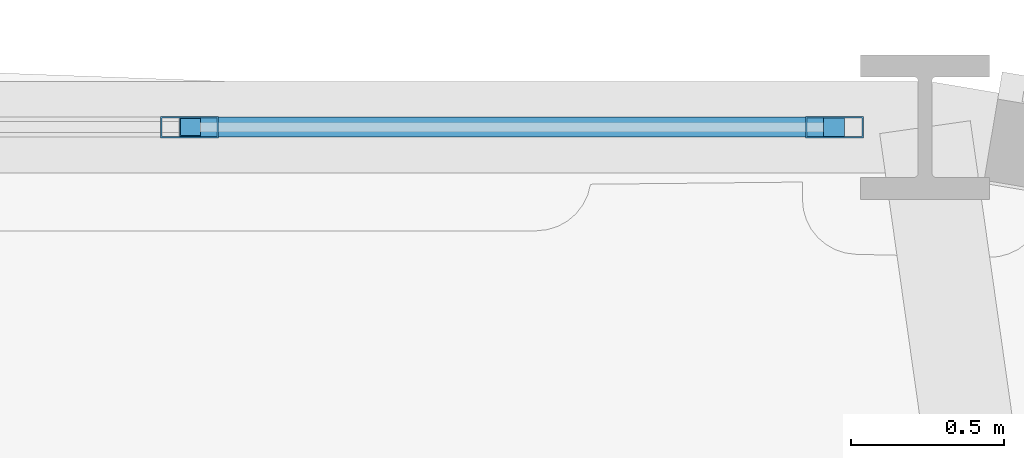
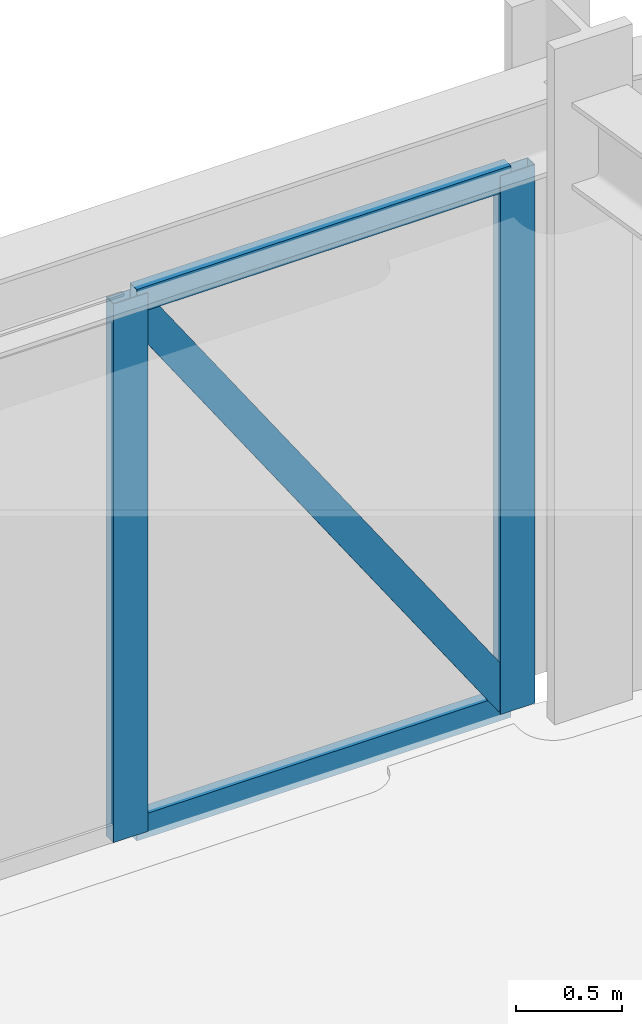
# One storey, part 14 of 22: 5 members, 1 element without a shape of its own.
"""IFC4 building model written with IfcOpenShell, lengths in metres."""

from ifc_helpers import new_model, si_unit, derived_unit, direction, frame, origin, origin_2d, place, context, subcontext, project, spatial, hollow_rectangle, extrude, source, transform, mapped, material, layer, layer_set, material_profile, profile_set, type_object, element, aggregate, save


model = new_model("IFC4")

# Units and contexts
model_context = context("Model", 3, precision=1e-05, world=origin(), true_north=direction((0.0, 1.0)))
body_context = subcontext(model_context, "Body", "Model", "MODEL_VIEW")
ifc_project = project(units=[si_unit("LENGTHUNIT", "METRE"), si_unit("AREAUNIT", "SQUARE_METRE"), si_unit("VOLUMEUNIT", "CUBIC_METRE"), si_unit("PLANEANGLEUNIT", "RADIAN"), si_unit("MASSUNIT", "GRAM", prefix="KILO"), derived_unit("THERMALTRANSMITTANCEUNIT", [(si_unit("POWERUNIT", "WATT"), 1), (si_unit("LENGTHUNIT", "METRE"), -2), (si_unit("THERMODYNAMICTEMPERATUREUNIT", "KELVIN"), -1)])], contexts=[model_context])

# Site, building, storey
site_placement = place(None, origin())
site = spatial("IfcSite", under=ifc_project, at=site_placement, CompositionType="ELEMENT")
building_placement = place(site_placement, origin())
building = spatial("IfcBuilding", under=site, at=building_placement, Name="Korsvarv Bourse and Concert Hall", CompositionType="ELEMENT")
storey_placement = place(building_placement, frame((0.0, 0.0, 55.199951171875)))
storey = spatial("IfcBuildingStorey", under=building, at=storey_placement, Name="L13", CompositionType="ELEMENT", Elevation=55.199951171875)

# Curtain wall, members
ifc_material_1 = material(Name="Anodised aluminium and triple low-E glazing", Category="glass")
ifc_layer = layer(ifc_material_1, 0.219970703125)
ifc_layer_set = layer_set([ifc_layer], Name="Anodised aluminium and triple low-E glazing")
curtain_wall_type = type_object("IfcCurtainWallType", Name="CW-SYS-1", PredefinedType="NOTDEFINED", material=ifc_layer_set)
curtain_wall_placement = place(storey_placement, origin())
curtain_wall = element("IfcCurtainWall", 1, at=curtain_wall_placement, inside=storey, type_object=curtain_wall_type, Name="L13 CW1 curtain wall CW-L13-F03", PredefinedType="NOTDEFINED")
ifc_material_2 = material(Name="Extruded aluminium EN AW-6063 T66", Category="aluminium")
ifc_material_profile_1 = material_profile(ifc_material_2, hollow_rectangle(XDim=0.06494140625, YDim=0.139892578125, WallThickness=0.00390625, at=origin_2d()), Name="ALU-T 65x140")
ifc_profile_set_1 = profile_set([ifc_material_profile_1], Name="Extruded aluminium EN AW-6063 T66")
member_type_1 = type_object("IfcMemberType", Name="CWT-140", PredefinedType="USERDEFINED", material=ifc_profile_set_1)
shared_shape_1 = source(origin(), body_context, "Body", "SweptSolid", [
    extrude(hollow_rectangle(XDim=0.06494140625, YDim=0.139892578125, WallThickness=0.00390625, at=origin_2d()), origin(), (0.0, 0.0, 1.0), 2.044189453125),
])
member_1_placement = place(storey_placement, frame((43.45263671875, 56.889404296875, 0.032470703125), z_axis=(-1.0, 0.0, 0.0), x_axis=(0.0, -1.0, 0.0)))
member_1 = element("IfcMember", 2, at=member_1_placement, type_object=member_type_1, Name="CW1 transom 1.1", ObjectType="TRANSOM", PredefinedType="USERDEFINED", context=body_context, shape_type="MappedRepresentation", body=[
    mapped(shared_shape_1, transform((0.0, 0.0, 0.0), scale=1.0)),
])
member_2_placement = place(storey_placement, frame((43.45263671875, 56.889404296875, 3.07763671875), z_axis=(-1.0, 0.0, 0.0), x_axis=(0.0, -1.0, 0.0)))
member_2 = element("IfcMember", 3, at=member_2_placement, type_object=member_type_1, Name="CW1 transom 1.2", ObjectType="TRANSOM", PredefinedType="USERDEFINED", context=body_context, shape_type="MappedRepresentation", body=[
    mapped(shared_shape_1, transform((0.0, 0.0, 0.0), scale=1.0)),
])
ifc_material_profile_2 = material_profile(ifc_material_2, hollow_rectangle(XDim=0.070068359375, YDim=0.18994140625, WallThickness=0.0048828125, at=origin_2d()), Name="ALU-M 70x190")
ifc_profile_set_2 = profile_set([ifc_material_profile_2], Name="Extruded aluminium EN AW-6063 T66")
member_type_2 = type_object("IfcMemberType", Name="CWM-190", PredefinedType="MULLION", material=ifc_profile_set_2)
shared_shape_2 = source(origin(), body_context, "Body", "SweptSolid", [
    extrude(hollow_rectangle(XDim=0.070068359375, YDim=0.18994140625, WallThickness=0.0048828125, at=origin_2d()), origin(), (0.0, 0.0, 1.0), 3.110107421875),
])
member_3_placement = place(storey_placement, frame((43.48779296875, 56.889404296875, 0.0), z_axis=(0.0, 0.0, 1.0), x_axis=(0.0, -1.0, 0.0)))
member_3 = element("IfcMember", 4, at=member_3_placement, type_object=member_type_2, Name="CW1 mullion 1", PredefinedType="MULLION", context=body_context, shape_type="MappedRepresentation", body=[
    mapped(shared_shape_2, transform((0.0, 0.0, 0.0), scale=1.0)),
])
member_4_placement = place(storey_placement, frame((41.373291015625, 56.889404296875, 0.0), z_axis=(0.0, 0.0, 1.0), x_axis=(0.0, -1.0, 0.0)))
member_4 = element("IfcMember", 5, at=member_4_placement, type_object=member_type_2, Name="CW1 mullion 2", PredefinedType="MULLION", context=body_context, shape_type="MappedRepresentation", body=[
    mapped(shared_shape_2, transform((0.0, 0.0, 0.0), scale=1.0)),
])
ifc_material_profile_3 = material_profile(ifc_material_2, hollow_rectangle(XDim=0.06494140625, YDim=0.1650390625, WallThickness=0.0048828125, at=origin_2d()), Name="ALU-M 65x165")
ifc_profile_set_3 = profile_set([ifc_material_profile_3], Name="Extruded aluminium EN AW-6063 T66")
member_type_3 = type_object("IfcMemberType", Name="CWM-165", PredefinedType="MULLION", material=ifc_profile_set_3)
shared_shape_3 = source(origin(), body_context, "Body", "SweptSolid", [
    extrude(hollow_rectangle(XDim=0.06494140625, YDim=0.1650390625, WallThickness=0.0048828125, at=origin_2d()), origin(), (0.0, 0.0, 1.0), 3.614013671875),
])
member_5_placement = place(storey_placement, frame((43.45263671875, 56.889404296875, 0.06494140625), z_axis=(-0.565642568135, 0.0, 0.824650523018), x_axis=(0.0, -1.0, 0.0)))
member_5 = element("IfcMember", 6, at=member_5_placement, type_object=member_type_3, Name="CW1 diagonal mullion 1", PredefinedType="MULLION", context=body_context, shape_type="MappedRepresentation", body=[
    mapped(shared_shape_3, transform((0.0, 0.0, 0.0), scale=1.0)),
])
aggregate(curtain_wall, [member_3, member_4, member_1, member_2, member_5])

save(model, "model.ifc")
